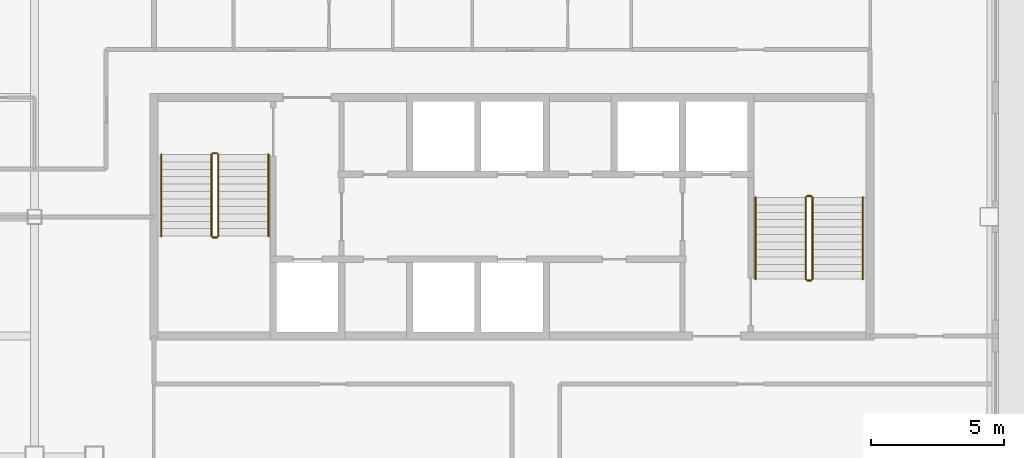
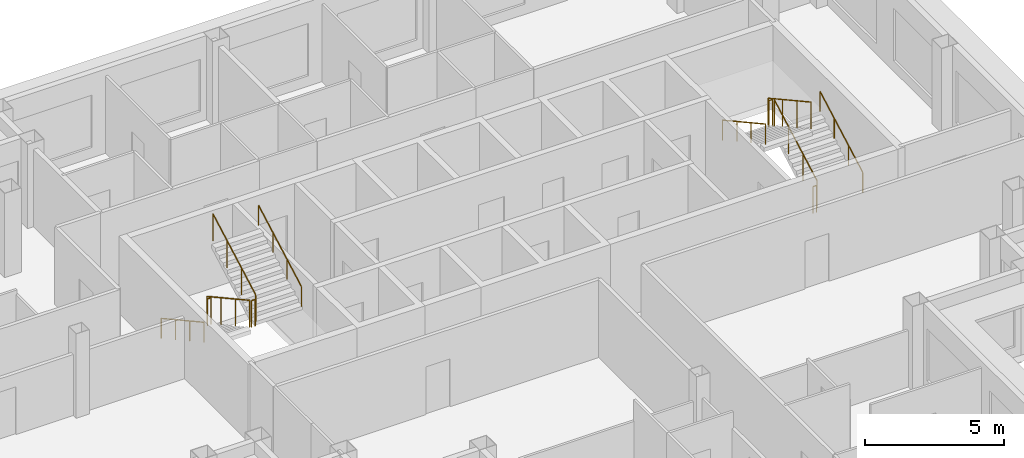
# One storey, part 11 of 11: 12 railings.
"""IFC4 building model written with IfcOpenShell, lengths in metres."""

from ifc_helpers import new_model, si_unit, direction, frame, origin, origin_2d, place, context, subcontext, project, spatial, circle, extrude, material, type_object, element, save


model = new_model("IFC4")

# Units and contexts
model_context = context("Model", 3, precision=1e-05, world=origin(), true_north=direction((0.0, 1.0)))
body_context = subcontext(model_context, "Body", "Model", "MODEL_VIEW")
ifc_project = project(units=[si_unit("LENGTHUNIT", "METRE"), si_unit("AREAUNIT", "SQUARE_METRE"), si_unit("VOLUMEUNIT", "CUBIC_METRE"), si_unit("PLANEANGLEUNIT", "RADIAN"), si_unit("MASSUNIT", "GRAM", prefix="KILO")], contexts=[model_context])

# Site, building, storey
site_placement = place(None, origin())
site = spatial("IfcSite", under=ifc_project, at=site_placement, CompositionType="ELEMENT")
building_placement = place(site_placement, origin())
building = spatial("IfcBuilding", under=site, at=building_placement, Name="Caravel Reach Hotel and Residences", CompositionType="ELEMENT")
storey_placement = place(building_placement, frame((0.0, 0.0, 210.89990234375)))
storey = spatial("IfcBuildingStorey", under=building, at=storey_placement, Name="L53", CompositionType="ELEMENT", Elevation=210.89990234375)

# Railings
ifc_material_1 = material(Name="Steel balustrade with glass infill", Category="steel")
railing_type_1 = type_object("IfcRailingType", Name="Guard 1200", PredefinedType="GUARDRAIL", material=ifc_material_1)
railing_1_placement = place(storey_placement, frame((20.175048828125, 29.35009765625, 0.154296875)))
element("IfcRailing", 1, at=railing_1_placement, inside=storey, type_object=railing_type_1, Name="L53 ST-A stair guard 1", PredefinedType="GUARDRAIL", context=body_context, shape_type="SweptSolid", body=[
    extrude(circle(Radius=0.02392578125, at=origin_2d()), frame((0.0, 0.0, 1.17578125), z_axis=(0.0, -0.876004717809, 0.482302534076), x_axis=(1.0, 0.0, 0.0)), (0.0, 0.0, 1.0), 3.51611328125),
    extrude(circle(Radius=0.02099609375, at=origin_2d()), origin(), (0.0, 0.0, 1.0), 1.15185546875),
    extrude(circle(Radius=0.02099609375, at=origin_2d()), frame((0.0, -1.026611328125, 0.565185546875)), (0.0, 0.0, 1.0), 1.15185546875),
    extrude(circle(Radius=0.02099609375, at=origin_2d()), frame((0.0, -2.053466796875, 1.130615234375)), (0.0, 0.0, 1.0), 1.15185546875),
    extrude(circle(Radius=0.02099609375, at=origin_2d()), frame((0.0, -3.080078125, 1.69580078125)), (0.0, 0.0, 1.0), 1.15185546875),
])
railing_2_placement = place(storey_placement, frame((20.22509765625, 26.219970703125, 1.85009765625)))
element("IfcRailing", 2, at=railing_2_placement, inside=storey, type_object=railing_type_1, Name="L53 ST-A stair guard 2", PredefinedType="GUARDRAIL", context=body_context, shape_type="SweptSolid", body=[
    extrude(circle(Radius=0.02392578125, at=origin_2d()), frame((0.0, 0.0, 1.17578125), z_axis=(1.0, 0.0, 0.0), x_axis=(0.0, 1.0, 0.0)), (0.0, 0.0, 1.0), 0.14990234375),
    extrude(circle(Radius=0.02099609375, at=origin_2d()), origin(), (0.0, 0.0, 1.0), 1.15185546875),
    extrude(circle(Radius=0.02099609375, at=origin_2d()), frame((0.14990234375, 0.0, 0.0)), (0.0, 0.0, 1.0), 1.15185546875),
])
railing_3_placement = place(storey_placement, frame((20.425048828125, 26.27001953125, 2.004150390625)))
element("IfcRailing", 3, at=railing_3_placement, inside=storey, type_object=railing_type_1, Name="L53 ST-A stair guard 3", PredefinedType="GUARDRAIL", context=body_context, shape_type="SweptSolid", body=[
    extrude(circle(Radius=0.02392578125, at=origin_2d()), frame((0.0, 0.0, 1.17578125), z_axis=(0.0, 0.875975380505, 0.482355815502), x_axis=(-1.0, 0.0, 0.0)), (0.0, 0.0, 1.0), 3.51611328125),
    extrude(circle(Radius=0.02099609375, at=origin_2d()), origin(), (0.0, 0.0, 1.0), 1.15185546875),
    extrude(circle(Radius=0.02099609375, at=origin_2d()), frame((0.0, 1.026611328125, 0.5654296875)), (0.0, 0.0, 1.0), 1.15185546875),
    extrude(circle(Radius=0.02099609375, at=origin_2d()), frame((0.0, 2.053466796875, 1.130615234375)), (0.0, 0.0, 1.0), 1.15185546875),
    extrude(circle(Radius=0.02099609375, at=origin_2d()), frame((0.0, 3.080078125, 1.696044921875)), (0.0, 0.0, 1.0), 1.15185546875),
])
railing_4_placement = place(storey_placement, frame((20.22509765625, 29.39990234375, 0.0)))
element("IfcRailing", 4, at=railing_4_placement, inside=storey, type_object=railing_type_1, Name="L53 ST-A stair guard 4", PredefinedType="GUARDRAIL", context=body_context, shape_type="SweptSolid", body=[
    extrude(circle(Radius=0.02392578125, at=origin_2d()), frame((0.0, 0.0, 1.17578125), z_axis=(1.0, 0.0, 0.0), x_axis=(0.0, 1.0, 0.0)), (0.0, 0.0, 1.0), 0.14990234375),
    extrude(circle(Radius=0.02099609375, at=origin_2d()), origin(), (0.0, 0.0, 1.0), 1.15185546875),
    extrude(circle(Radius=0.02099609375, at=origin_2d()), frame((0.14990234375, 0.0, 0.0)), (0.0, 0.0, 1.0), 1.15185546875),
])
railing_5_placement = place(storey_placement, frame((42.824951171875, 24.64990234375, 0.154296875)))
element("IfcRailing", 5, at=railing_5_placement, inside=storey, type_object=railing_type_1, Name="L53 ST-B stair guard 1", PredefinedType="GUARDRAIL", context=body_context, shape_type="SweptSolid", body=[
    extrude(circle(Radius=0.02392578125, at=origin_2d()), frame((0.0, 0.0, 1.17578125), z_axis=(0.0, 0.876004717809, 0.482302534076), x_axis=(-1.0, 0.0, 0.0)), (0.0, 0.0, 1.0), 3.51611328125),
    extrude(circle(Radius=0.02099609375, at=origin_2d()), origin(), (0.0, 0.0, 1.0), 1.15185546875),
    extrude(circle(Radius=0.02099609375, at=origin_2d()), frame((0.0, 1.026611328125, 0.565185546875)), (0.0, 0.0, 1.0), 1.15185546875),
    extrude(circle(Radius=0.02099609375, at=origin_2d()), frame((0.0, 2.053466796875, 1.130615234375)), (0.0, 0.0, 1.0), 1.15185546875),
    extrude(circle(Radius=0.02099609375, at=origin_2d()), frame((0.0, 3.080078125, 1.69580078125)), (0.0, 0.0, 1.0), 1.15185546875),
])
railing_6_placement = place(storey_placement, frame((42.77490234375, 27.780029296875, 1.85009765625)))
element("IfcRailing", 6, at=railing_6_placement, inside=storey, type_object=railing_type_1, Name="L53 ST-B stair guard 2", PredefinedType="GUARDRAIL", context=body_context, shape_type="SweptSolid", body=[
    extrude(circle(Radius=0.02392578125, at=origin_2d()), frame((0.0, 0.0, 1.17578125), z_axis=(-1.0, 0.0, 0.0), x_axis=(0.0, -1.0, 0.0)), (0.0, 0.0, 1.0), 0.14990234375),
    extrude(circle(Radius=0.02099609375, at=origin_2d()), origin(), (0.0, 0.0, 1.0), 1.15185546875),
    extrude(circle(Radius=0.02099609375, at=origin_2d()), frame((-0.14990234375, 0.0, 0.0)), (0.0, 0.0, 1.0), 1.15185546875),
])
railing_7_placement = place(storey_placement, frame((42.574951171875, 27.72998046875, 2.004150390625)))
element("IfcRailing", 7, at=railing_7_placement, inside=storey, type_object=railing_type_1, Name="L53 ST-B stair guard 3", PredefinedType="GUARDRAIL", context=body_context, shape_type="SweptSolid", body=[
    extrude(circle(Radius=0.02392578125, at=origin_2d()), frame((0.0, 0.0, 1.17578125), z_axis=(0.0, -0.875975380505, 0.482355815502), x_axis=(1.0, 0.0, 0.0)), (0.0, 0.0, 1.0), 3.51611328125),
    extrude(circle(Radius=0.02099609375, at=origin_2d()), origin(), (0.0, 0.0, 1.0), 1.15185546875),
    extrude(circle(Radius=0.02099609375, at=origin_2d()), frame((0.0, -1.026611328125, 0.5654296875)), (0.0, 0.0, 1.0), 1.15185546875),
    extrude(circle(Radius=0.02099609375, at=origin_2d()), frame((0.0, -2.053466796875, 1.130615234375)), (0.0, 0.0, 1.0), 1.15185546875),
    extrude(circle(Radius=0.02099609375, at=origin_2d()), frame((0.0, -3.080078125, 1.696044921875)), (0.0, 0.0, 1.0), 1.15185546875),
])
railing_8_placement = place(storey_placement, frame((42.77490234375, 24.60009765625, 0.0)))
element("IfcRailing", 8, at=railing_8_placement, inside=storey, type_object=railing_type_1, Name="L53 ST-B stair guard 4", PredefinedType="GUARDRAIL", context=body_context, shape_type="SweptSolid", body=[
    extrude(circle(Radius=0.02392578125, at=origin_2d()), frame((0.0, 0.0, 1.17578125), z_axis=(-1.0, 0.0, 0.0), x_axis=(0.0, -1.0, 0.0)), (0.0, 0.0, 1.0), 0.14990234375),
    extrude(circle(Radius=0.02099609375, at=origin_2d()), origin(), (0.0, 0.0, 1.0), 1.15185546875),
    extrude(circle(Radius=0.02099609375, at=origin_2d()), frame((-0.14990234375, 0.0, 0.0)), (0.0, 0.0, 1.0), 1.15185546875),
])
ifc_material_2 = material(Name="Stainless steel handrail", Category="steel")
railing_type_2 = type_object("IfcRailingType", Name="Handrail 900", PredefinedType="HANDRAIL", material=ifc_material_2)
railing_9_placement = place(storey_placement, frame((18.27490234375, 29.35009765625, 0.154296875)))
element("IfcRailing", 9, at=railing_9_placement, inside=storey, type_object=railing_type_2, Name="L53 ST-A stair handrail 1", PredefinedType="HANDRAIL", context=body_context, shape_type="SweptSolid", body=[
    extrude(circle(Radius=0.02392578125, at=origin_2d()), frame((0.0, 0.0, 0.8759765625), z_axis=(0.0, -0.876004717809, 0.482302534076), x_axis=(1.0, 0.0, 0.0)), (0.0, 0.0, 1.0), 3.51611328125),
    extrude(circle(Radius=0.02099609375, at=origin_2d()), origin(), (0.0, 0.0, 1.0), 0.851806640625),
    extrude(circle(Radius=0.02099609375, at=origin_2d()), frame((0.0, -1.026611328125, 0.565185546875)), (0.0, 0.0, 1.0), 0.851806640625),
    extrude(circle(Radius=0.02099609375, at=origin_2d()), frame((0.0, -2.053466796875, 1.130615234375)), (0.0, 0.0, 1.0), 0.851806640625),
    extrude(circle(Radius=0.02099609375, at=origin_2d()), frame((0.0, -3.080078125, 1.69580078125)), (0.0, 0.0, 1.0), 0.851806640625),
])
railing_10_placement = place(storey_placement, frame((22.324951171875, 26.27001953125, 2.004150390625)))
element("IfcRailing", 10, at=railing_10_placement, inside=storey, type_object=railing_type_2, Name="L53 ST-A stair handrail 2", PredefinedType="HANDRAIL", context=body_context, shape_type="SweptSolid", body=[
    extrude(circle(Radius=0.02392578125, at=origin_2d()), frame((0.0, 0.0, 0.8759765625), z_axis=(0.0, 0.875975380505, 0.482355815502), x_axis=(-1.0, 0.0, 0.0)), (0.0, 0.0, 1.0), 3.51611328125),
    extrude(circle(Radius=0.02099609375, at=origin_2d()), origin(), (0.0, 0.0, 1.0), 0.851806640625),
    extrude(circle(Radius=0.02099609375, at=origin_2d()), frame((0.0, 1.026611328125, 0.5654296875)), (0.0, 0.0, 1.0), 0.851806640625),
    extrude(circle(Radius=0.02099609375, at=origin_2d()), frame((0.0, 2.053466796875, 1.130615234375)), (0.0, 0.0, 1.0), 0.851806640625),
    extrude(circle(Radius=0.02099609375, at=origin_2d()), frame((0.0, 3.080078125, 1.696044921875)), (0.0, 0.0, 1.0), 0.851806640625),
])
railing_11_placement = place(storey_placement, frame((44.72509765625, 24.64990234375, 0.154296875)))
element("IfcRailing", 11, at=railing_11_placement, inside=storey, type_object=railing_type_2, Name="L53 ST-B stair handrail 1", PredefinedType="HANDRAIL", context=body_context, shape_type="SweptSolid", body=[
    extrude(circle(Radius=0.02392578125, at=origin_2d()), frame((0.0, 0.0, 0.8759765625), z_axis=(0.0, 0.876004717809, 0.482302534076), x_axis=(-1.0, 0.0, 0.0)), (0.0, 0.0, 1.0), 3.51611328125),
    extrude(circle(Radius=0.02099609375, at=origin_2d()), origin(), (0.0, 0.0, 1.0), 0.851806640625),
    extrude(circle(Radius=0.02099609375, at=origin_2d()), frame((0.0, 1.026611328125, 0.565185546875)), (0.0, 0.0, 1.0), 0.851806640625),
    extrude(circle(Radius=0.02099609375, at=origin_2d()), frame((0.0, 2.053466796875, 1.130615234375)), (0.0, 0.0, 1.0), 0.851806640625),
    extrude(circle(Radius=0.02099609375, at=origin_2d()), frame((0.0, 3.080078125, 1.69580078125)), (0.0, 0.0, 1.0), 0.851806640625),
])
railing_12_placement = place(storey_placement, frame((40.675048828125, 27.72998046875, 2.004150390625)))
element("IfcRailing", 12, at=railing_12_placement, inside=storey, type_object=railing_type_2, Name="L53 ST-B stair handrail 2", PredefinedType="HANDRAIL", context=body_context, shape_type="SweptSolid", body=[
    extrude(circle(Radius=0.02392578125, at=origin_2d()), frame((0.0, 0.0, 0.8759765625), z_axis=(0.0, -0.875975380505, 0.482355815502), x_axis=(1.0, 0.0, 0.0)), (0.0, 0.0, 1.0), 3.51611328125),
    extrude(circle(Radius=0.02099609375, at=origin_2d()), origin(), (0.0, 0.0, 1.0), 0.851806640625),
    extrude(circle(Radius=0.02099609375, at=origin_2d()), frame((0.0, -1.026611328125, 0.5654296875)), (0.0, 0.0, 1.0), 0.851806640625),
    extrude(circle(Radius=0.02099609375, at=origin_2d()), frame((0.0, -2.053466796875, 1.130615234375)), (0.0, 0.0, 1.0), 0.851806640625),
    extrude(circle(Radius=0.02099609375, at=origin_2d()), frame((0.0, -3.080078125, 1.696044921875)), (0.0, 0.0, 1.0), 0.851806640625),
])

save(model, "model.ifc")
